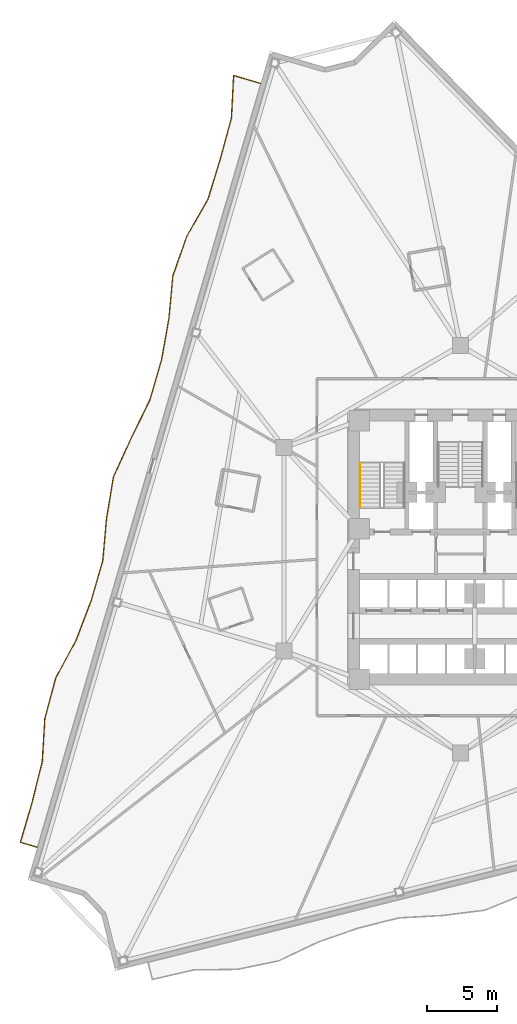
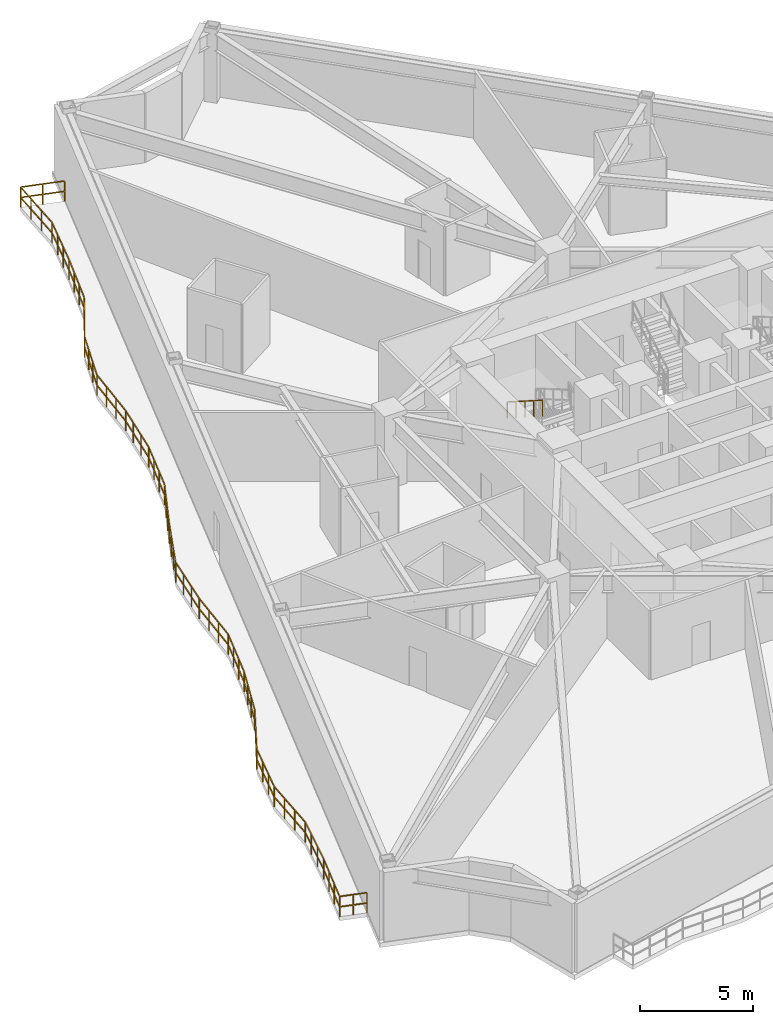
# One storey, part 8 of 9: 2 railings.
"""IFC4 building model written with IfcOpenShell, lengths in metres."""

import ifcopenshell
import ifcopenshell.guid

model = None  # the IFC model being written
_history = None  # IfcOwnerHistory: only IFC2X3 demands one
_inside = {}  # id of a spatial element -> (the spatial element, [elements in it])
_under = {}  # id of a project, library or spatial element -> (it, [spatial elements below it])
_declared = {}  # id of a project -> (the project, [libraries it declares])
_typed = {}  # id of a type object -> (the type object, [elements of that type])
_made_of = {}  # id of a material, layer set ... -> (it, [elements and type objects made of it])


def new_model(schema):
    """Start an empty IFC model of exactly this schema.

    Asked for "IFC4X3", IfcOpenShell would pick the latest addendum, in which some entities
    have other attributes; the version numbers below select the first issue.
    IFC2X3 requires an IfcOwnerHistory on every rooted entity: one is made here for all.
    """
    global model, _history
    if schema == "IFC4X3":
        model = ifcopenshell.file(schema_version=(4, 3, 0, 0))
    else:
        model = ifcopenshell.file(schema=schema)
    _inside.clear()
    _under.clear()
    _declared.clear()
    _typed.clear()
    _made_of.clear()
    _history = None
    if model.schema == "IFC2X3":
        org = make("IfcOrganization", Name="unknown")
        user = make(
            "IfcPersonAndOrganization",
            ThePerson=make("IfcPerson", FamilyName="unknown"),
            TheOrganization=org,
        )
        app = make(
            "IfcApplication",
            ApplicationDeveloper=org,
            Version="unknown",
            ApplicationFullName="unknown",
            ApplicationIdentifier="unknown",
        )
        _history = make(
            "IfcOwnerHistory",
            OwningUser=user,
            OwningApplication=app,
            ChangeAction="ADDED",
            CreationDate=0,
        )
    return model


def make(cls, **values):
    """One entity of the class cls with the attributes given. An attribute that is None is left unset."""
    return model.create_entity(
        cls, **{name: value for name, value in values.items() if value is not None}
    )


def rooted(cls, **values):
    """An entity with a GlobalId (a new one), such as an element, a storey or a relation."""
    return make(cls, GlobalId=ifcopenshell.guid.new(), OwnerHistory=_history, **values)


def si_unit(unit_type, name, prefix=None):
    """IfcSIUnit, for example si_unit("LENGTHUNIT", "METRE", prefix="MILLI")."""
    return make("IfcSIUnit", UnitType=unit_type, Prefix=prefix, Name=name)


def assignment(units):
    """IfcUnitAssignment: the units of a project."""
    return None if units is None else make("IfcUnitAssignment", Units=units)


def point(xyz):
    """IfcCartesianPoint."""
    return None if xyz is None else make("IfcCartesianPoint", Coordinates=xyz)


def direction(xyz):
    """IfcDirection."""
    return None if xyz is None else make("IfcDirection", DirectionRatios=xyz)


def frame(location, z_axis=None, x_axis=None):
    """IfcAxis2Placement3D, a coordinate frame: its origin and axes. An axis left out is left unset."""
    return make(
        "IfcAxis2Placement3D",
        Location=point(location),
        Axis=direction(z_axis),
        RefDirection=direction(x_axis),
    )


def frame_2d(location, x_axis=None):
    """IfcAxis2Placement2D, a coordinate frame in the plane: its origin and x axis."""
    return make(
        "IfcAxis2Placement2D", Location=point(location), RefDirection=direction(x_axis)
    )


def origin():
    """The frame at (0, 0, 0) with its axes left unset."""
    return frame((0.0, 0.0, 0.0))


def origin_2d():
    """The frame at (0, 0) in the plane with its x axis left unset."""
    return frame_2d((0.0, 0.0))


def place(relative_to, where):
    """IfcLocalPlacement: puts the frame where relative to a parent placement (None: the world)."""
    return make(
        "IfcLocalPlacement", PlacementRelTo=relative_to, RelativePlacement=where
    )


def context(
    kind, dimensions, precision=None, world=None, true_north=None, identifier=None
):
    """IfcGeometricRepresentationContext, for example the 3D "Model" context."""
    return make(
        "IfcGeometricRepresentationContext",
        ContextIdentifier=identifier,
        ContextType=kind,
        CoordinateSpaceDimension=dimensions,
        Precision=precision,
        WorldCoordinateSystem=world,
        TrueNorth=true_north,
    )


def subcontext(parent, identifier, kind, view, scale=None):
    """IfcGeometricRepresentationSubContext, for example "Body" below "Model"."""
    return make(
        "IfcGeometricRepresentationSubContext",
        ContextIdentifier=identifier,
        ContextType=kind,
        ParentContext=parent,
        TargetScale=scale,
        TargetView=view,
    )


def project(units=None, contexts=None):
    """IfcProject with its units and contexts."""
    return rooted(
        "IfcProject",
        Name="project",
        RepresentationContexts=contexts,
        UnitsInContext=assignment(units),
    )


def spatial(cls, under=None, at=None, **own):
    """A site, building, storey or space (cls), placed at a placement, below another one or the project."""
    s = rooted(cls, ObjectPlacement=at, **own)
    if under is not None:
        _under.setdefault(under.id(), (under, []))[1].append(s)
    return s


def profile(cls, at=None, kind="AREA", **sizes):
    """A parametric profile (cls). Its sizes go by their IFC names, for example OverallWidth=200.0."""
    return make(cls, ProfileType=kind, Position=at, **sizes)


def rectangle(**sizes):
    """IfcRectangleProfileDef."""
    return profile("IfcRectangleProfileDef", **sizes)


def extrude(swept, where, along, depth):
    """IfcExtrudedAreaSolid: the profile swept, set in the frame where, extruded along a direction by depth."""
    return make(
        "IfcExtrudedAreaSolid",
        SweptArea=swept,
        Position=where,
        ExtrudedDirection=direction(along),
        Depth=depth,
    )


def shape(context_of_items, identifier, shape_type, items):
    """IfcShapeRepresentation: the items that make up one representation, for example the "Body"."""
    return make(
        "IfcShapeRepresentation",
        ContextOfItems=context_of_items,
        RepresentationIdentifier=identifier,
        RepresentationType=shape_type,
        Items=items,
    )


def material(Name=None, Category=None):
    """IfcMaterial."""
    return make("IfcMaterial", Name=Name, Category=Category)


def made_of(thing, what):
    """Note that an element or type object is made of a material, layer set ...; save() writes the relation."""
    if what is not None:
        _made_of.setdefault(what.id(), (what, []))[1].append(thing)
    return thing


def type_object(cls, material=None, **own):
    """A type object (cls), such as IfcWallType, which elements share."""
    return made_of(rooted(cls, **own), material)


def element(
    cls,
    number,
    at=None,
    inside=None,
    cuts=None,
    type_object=None,
    material=None,
    context=None,
    identifier="Body",
    shape_type=None,
    held_by="IfcProductDefinitionShape",
    body=None,
    shapes=None,
    **own,
):
    """One element of the class cls, such as IfcWall. Its Tag is "e" and its number.

    at: its placement. inside: the storey or other place that contains it. cuts: it is an
    opening in that element (IfcRelVoidsElement). A single representation is given by context,
    identifier, shape_type and body (its items); several are given by shapes. held_by: the class
    of the entity that holds the representations. save() writes the other relations.
    """
    e = rooted(cls, Tag="e%d" % number, ObjectPlacement=at, **own)
    if body is not None:
        shapes = [shape(context, identifier, shape_type, body)]
    if shapes is not None:
        e.Representation = make(held_by, Representations=shapes)
    if inside is not None:
        _inside.setdefault(inside.id(), (inside, []))[1].append(e)
    if cuts is not None:
        rooted(
            "IfcRelVoidsElement", RelatingBuildingElement=cuts, RelatedOpeningElement=e
        )
    if type_object is not None:
        _typed.setdefault(type_object.id(), (type_object, []))[1].append(e)
    return made_of(e, material)


def aggregate(whole, parts):
    """IfcRelAggregates: a whole, such as a stair, and the parts it consists of."""
    return rooted("IfcRelAggregates", RelatingObject=whole, RelatedObjects=parts)


def save(model, path):
    """Write the relations noted so far, then the file.

    IfcRelAggregates (storeys below a building ...), IfcRelContainedInSpatialStructure (elements
    in a storey), IfcRelDefinesByType, IfcRelAssociatesMaterial and IfcRelDeclares: one each for
    every whole, place, type object, material and project.
    """
    for whole, parts in _under.values():
        aggregate(whole, parts)
    for where, things in _inside.values():
        rooted(
            "IfcRelContainedInSpatialStructure",
            RelatedElements=things,
            RelatingStructure=where,
        )
    for kind, things in _typed.values():
        rooted("IfcRelDefinesByType", RelatedObjects=things, RelatingType=kind)
    for what, things in _made_of.values():
        rooted("IfcRelAssociatesMaterial", RelatedObjects=things, RelatingMaterial=what)
    for by, libraries in _declared.values():
        rooted("IfcRelDeclares", RelatingContext=by, RelatedDefinitions=libraries)
    model.write(path)


model = new_model("IFC4")

# Units and contexts
model_context = context("Model", 3, precision=1e-05, world=origin(), true_north=direction((0.0, 1.0)))
body_context = subcontext(model_context, "Body", "Model", "MODEL_VIEW")
ifc_project = project(units=[si_unit("LENGTHUNIT", "METRE"), si_unit("AREAUNIT", "SQUARE_METRE"), si_unit("VOLUMEUNIT", "CUBIC_METRE"), si_unit("PLANEANGLEUNIT", "RADIAN"), si_unit("MASSUNIT", "GRAM", prefix="KILO")], contexts=[model_context])

# Site, building, storey
site_placement = place(None, origin())
site = spatial("IfcSite", under=ifc_project, at=site_placement, CompositionType="ELEMENT")
building_placement = place(site_placement, origin())
building = spatial("IfcBuilding", under=site, at=building_placement, Name="Apsidion Concourse Tower", CompositionType="ELEMENT")
storey_placement = place(building_placement, frame((0.0, 0.0, 119.0)))
storey = spatial("IfcBuildingStorey", under=building, at=storey_placement, Name="L27", CompositionType="ELEMENT", Elevation=119.0)

# Railings
ifc_material = material(Name="Brushed stainless steel 316", Category="steel")
railing_type_1 = type_object("IfcRailingType", Name="RL-BAL-1120", PredefinedType="BALUSTRADE", material=ifc_material)
railing_1_placement = place(storey_placement, frame((-30.13330078125, -21.2216796875, 0.0)))
element("IfcRailing", 1, at=railing_1_placement, inside=storey, type_object=railing_type_1, Name="L27 Face 1 Rippling Balcony Balustrade", PredefinedType="BALUSTRADE", context=body_context, shape_type="SweptSolid", body=[
    extrude(rectangle(XDim=0.048095703125, YDim=0.048095703125, at=origin_2d()), frame((0.0, 0.0, 1.09619140625), z_axis=(-0.959802880035, 0.280674956982, 0.0), x_axis=(-0.280674956982, -0.959802880035, 0.0)), (0.0, 0.0, 1.0), 1.25),
    extrude(rectangle(XDim=0.048095703125, YDim=0.048095703125, at=origin_2d()), frame((0.0, 0.0, 0.5361328125), z_axis=(-0.959802880035, 0.280674956982, 0.0), x_axis=(-0.280674956982, -0.959802880035, 0.0)), (0.0, 0.0, 1.0), 1.25),
    extrude(rectangle(XDim=0.048095703125, YDim=0.048095703125, at=origin_2d()), frame((-1.19970703125, 0.350830078125, 1.09619140625), z_axis=(0.280725911516, 0.959787977943, 0.0), x_axis=(-0.959787977943, 0.280725911516, 0.0)), (0.0, 0.0, 1.0), 2.98291015625),
    extrude(rectangle(XDim=0.048095703125, YDim=0.048095703125, at=origin_2d()), frame((-1.19970703125, 0.350830078125, 0.5361328125), z_axis=(0.280725911516, 0.959787977943, 0.0), x_axis=(-0.959787977943, 0.280725911516, 0.0)), (0.0, 0.0, 1.0), 2.98291015625),
    extrude(rectangle(XDim=0.048095703125, YDim=0.048095703125, at=origin_2d()), frame((-0.3623046875, 3.2138671875, 1.09619140625), z_axis=(0.241669587825, 0.970358598829, 0.0), x_axis=(-0.970358598829, 0.241669587825, 0.0)), (0.0, 0.0, 1.0), 2.985107421875),
    extrude(rectangle(XDim=0.048095703125, YDim=0.048095703125, at=origin_2d()), frame((-0.3623046875, 3.2138671875, 0.5361328125), z_axis=(0.241669587825, 0.970358598829, 0.0), x_axis=(-0.970358598829, 0.241669587825, 0.0)), (0.0, 0.0, 1.0), 2.985107421875),
    extrude(rectangle(XDim=0.048095703125, YDim=0.048095703125, at=origin_2d()), frame((0.359130859375, 6.110595703125, 1.09619140625), z_axis=(0.058787484893, 0.99827052026, 0.0), x_axis=(-0.99827052026, 0.058787484893, 0.0)), (0.0, 0.0, 1.0), 3.060791015625),
    extrude(rectangle(XDim=0.048095703125, YDim=0.048095703125, at=origin_2d()), frame((0.359130859375, 6.110595703125, 0.5361328125), z_axis=(0.058787484893, 0.99827052026, 0.0), x_axis=(-0.99827052026, 0.058787484893, 0.0)), (0.0, 0.0, 1.0), 3.060791015625),
    extrude(rectangle(XDim=0.048095703125, YDim=0.048095703125, at=origin_2d()), frame((0.5390625, 9.166015625, 1.09619140625), z_axis=(0.259383611504, 0.965774374315, 0.0), x_axis=(-0.965774374315, 0.259383611504, 0.0)), (0.0, 0.0, 1.0), 2.983642578125),
    extrude(rectangle(XDim=0.048095703125, YDim=0.048095703125, at=origin_2d()), frame((0.5390625, 9.166015625, 0.5361328125), z_axis=(0.259383611504, 0.965774374315, 0.0), x_axis=(-0.965774374315, 0.259383611504, 0.0)), (0.0, 0.0, 1.0), 2.983642578125),
    extrude(rectangle(XDim=0.048095703125, YDim=0.048095703125, at=origin_2d()), frame((1.31298828125, 12.047607421875, 1.09619140625), z_axis=(0.473975683234, 0.880537933143, 0.0), x_axis=(-0.880537933143, 0.473975683234, 0.0)), (0.0, 0.0, 1.0), 3.04931640625),
    extrude(rectangle(XDim=0.048095703125, YDim=0.048095703125, at=origin_2d()), frame((1.31298828125, 12.047607421875, 0.5361328125), z_axis=(0.473975683234, 0.880537933143, 0.0), x_axis=(-0.880537933143, 0.473975683234, 0.0)), (0.0, 0.0, 1.0), 3.04931640625),
    extrude(rectangle(XDim=0.048095703125, YDim=0.048095703125, at=origin_2d()), frame((2.75830078125, 14.732666015625, 1.09619140625), z_axis=(0.356588936578, 0.934261382221, 0.0), x_axis=(-0.934261382221, 0.356588936578, 0.0)), (0.0, 0.0, 1.0), 2.99267578125),
    extrude(rectangle(XDim=0.048095703125, YDim=0.048095703125, at=origin_2d()), frame((2.75830078125, 14.732666015625, 0.5361328125), z_axis=(0.356588936578, 0.934261382221, 0.0), x_axis=(-0.934261382221, 0.356588936578, 0.0)), (0.0, 0.0, 1.0), 2.99267578125),
    extrude(rectangle(XDim=0.048095703125, YDim=0.048095703125, at=origin_2d()), frame((3.825439453125, 17.528564453125, 1.09619140625), z_axis=(0.280725911516, 0.959787977943, 0.0), x_axis=(-0.959787977943, 0.280725911516, 0.0)), (0.0, 0.0, 1.0), 2.98291015625),
    extrude(rectangle(XDim=0.048095703125, YDim=0.048095703125, at=origin_2d()), frame((3.825439453125, 17.528564453125, 0.5361328125), z_axis=(0.280725911516, 0.959787977943, 0.0), x_axis=(-0.959787977943, 0.280725911516, 0.0)), (0.0, 0.0, 1.0), 2.98291015625),
    extrude(rectangle(XDim=0.048095703125, YDim=0.048095703125, at=origin_2d()), frame((4.662841796875, 20.3916015625, 1.09619140625), z_axis=(0.088472526508, 0.996078617406, 0.0), x_axis=(-0.996078617406, 0.088472526508, 0.0)), (0.0, 0.0, 1.0), 3.041015625),
    extrude(rectangle(XDim=0.048095703125, YDim=0.048095703125, at=origin_2d()), frame((4.662841796875, 20.3916015625, 0.5361328125), z_axis=(0.088472526508, 0.996078617406, 0.0), x_axis=(-0.996078617406, 0.088472526508, 0.0)), (0.0, 0.0, 1.0), 3.041015625),
    extrude(rectangle(XDim=0.048095703125, YDim=0.048095703125, at=origin_2d()), frame((4.931884765625, 23.420654296875, 1.09619140625), z_axis=(0.164965610792, 0.986299319302, 0.0), x_axis=(-0.986299319302, 0.164965610792, 0.0)), (0.0, 0.0, 1.0), 3.00439453125),
    extrude(rectangle(XDim=0.048095703125, YDim=0.048095703125, at=origin_2d()), frame((4.931884765625, 23.420654296875, 0.5361328125), z_axis=(0.164965610792, 0.986299319302, 0.0), x_axis=(-0.986299319302, 0.164965610792, 0.0)), (0.0, 0.0, 1.0), 3.00439453125),
    extrude(rectangle(XDim=0.048095703125, YDim=0.048095703125, at=origin_2d()), frame((5.427490234375, 26.3837890625, 1.09619140625), z_axis=(0.416833173006, 0.908983006377, 0.0), x_axis=(-0.908983006377, 0.416833173006, 0.0)), (0.0, 0.0, 1.0), 3.0146484375),
    extrude(rectangle(XDim=0.048095703125, YDim=0.048095703125, at=origin_2d()), frame((5.427490234375, 26.3837890625, 0.5361328125), z_axis=(0.416833173006, 0.908983006377, 0.0), x_axis=(-0.908983006377, 0.416833173006, 0.0)), (0.0, 0.0, 1.0), 3.0146484375),
    extrude(rectangle(XDim=0.048095703125, YDim=0.048095703125, at=origin_2d()), frame((6.68408203125, 29.1240234375, 1.09619140625), z_axis=(0.439064001801, 0.898455787628, 0.0), x_axis=(-0.898455787628, 0.439064001801, 0.0)), (0.0, 0.0, 1.0), 3.026611328125),
    extrude(rectangle(XDim=0.048095703125, YDim=0.048095703125, at=origin_2d()), frame((6.68408203125, 29.1240234375, 0.5361328125), z_axis=(0.439064001801, 0.898455787628, 0.0), x_axis=(-0.898455787628, 0.439064001801, 0.0)), (0.0, 0.0, 1.0), 3.026611328125),
    extrude(rectangle(XDim=0.048095703125, YDim=0.048095703125, at=origin_2d()), frame((8.012939453125, 31.84326171875, 1.09619140625), z_axis=(0.2808013033, 0.95976592358, 0.0), x_axis=(-0.95976592358, 0.2808013033, 0.0)), (0.0, 0.0, 1.0), 2.983154296875),
    extrude(rectangle(XDim=0.048095703125, YDim=0.048095703125, at=origin_2d()), frame((8.012939453125, 31.84326171875, 0.5361328125), z_axis=(0.2808013033, 0.95976592358, 0.0), x_axis=(-0.95976592358, 0.2808013033, 0.0)), (0.0, 0.0, 1.0), 2.983154296875),
    extrude(rectangle(XDim=0.048095703125, YDim=0.048095703125, at=origin_2d()), frame((8.8505859375, 34.706298828125, 1.09619140625), z_axis=(0.174759923103, 0.984611075134, 0.0), x_axis=(-0.984611075134, 0.174759923103, 0.0)), (0.0, 0.0, 1.0), 3.000732421875),
    extrude(rectangle(XDim=0.048095703125, YDim=0.048095703125, at=origin_2d()), frame((8.8505859375, 34.706298828125, 0.5361328125), z_axis=(0.174759923103, 0.984611075134, 0.0), x_axis=(-0.984611075134, 0.174759923103, 0.0)), (0.0, 0.0, 1.0), 3.000732421875),
    extrude(rectangle(XDim=0.048095703125, YDim=0.048095703125, at=origin_2d()), frame((9.375, 37.660888671875, 1.09619140625), z_axis=(0.091658355548, 0.995790513039, 0.0), x_axis=(-0.995790513039, 0.091658355548, 0.0)), (0.0, 0.0, 1.0), 3.0390625),
    extrude(rectangle(XDim=0.048095703125, YDim=0.048095703125, at=origin_2d()), frame((9.375, 37.660888671875, 0.5361328125), z_axis=(0.091658355548, 0.995790513039, 0.0), x_axis=(-0.995790513039, 0.091658355548, 0.0)), (0.0, 0.0, 1.0), 3.0390625),
    extrude(rectangle(XDim=0.048095703125, YDim=0.048095703125, at=origin_2d()), frame((9.653564453125, 40.687255859375, 1.09619140625), z_axis=(0.33221728707, 0.943202880706, 0.0), x_axis=(-0.943202880706, 0.33221728707, 0.0)), (0.0, 0.0, 1.0), 2.9873046875),
    extrude(rectangle(XDim=0.048095703125, YDim=0.048095703125, at=origin_2d()), frame((9.653564453125, 40.687255859375, 0.5361328125), z_axis=(0.33221728707, 0.943202880706, 0.0), x_axis=(-0.943202880706, 0.33221728707, 0.0)), (0.0, 0.0, 1.0), 2.9873046875),
    extrude(rectangle(XDim=0.048095703125, YDim=0.048095703125, at=origin_2d()), frame((10.64599609375, 43.5048828125, 1.09619140625), z_axis=(0.494757603532, 0.869031020014, 0.0), x_axis=(-0.869031020014, 0.494757603532, 0.0)), (0.0, 0.0, 1.0), 3.06591796875),
    extrude(rectangle(XDim=0.048095703125, YDim=0.048095703125, at=origin_2d()), frame((10.64599609375, 43.5048828125, 0.5361328125), z_axis=(0.494757603532, 0.869031020014, 0.0), x_axis=(-0.869031020014, 0.494757603532, 0.0)), (0.0, 0.0, 1.0), 3.06591796875),
    extrude(rectangle(XDim=0.048095703125, YDim=0.048095703125, at=origin_2d()), frame((12.162841796875, 46.169189453125, 1.09619140625), z_axis=(0.293401402428, 0.955989339404, 0.0), x_axis=(-0.955989339404, 0.293401402428, 0.0)), (0.0, 0.0, 1.0), 2.983154296875),
    extrude(rectangle(XDim=0.048095703125, YDim=0.048095703125, at=origin_2d()), frame((12.162841796875, 46.169189453125, 0.5361328125), z_axis=(0.293401402428, 0.955989339404, 0.0), x_axis=(-0.955989339404, 0.293401402428, 0.0)), (0.0, 0.0, 1.0), 2.983154296875),
    extrude(rectangle(XDim=0.048095703125, YDim=0.048095703125, at=origin_2d()), frame((13.0380859375, 49.02099609375, 1.09619140625), z_axis=(0.2629304432, 0.964814791573, 0.0), x_axis=(-0.964814791573, 0.2629304432, 0.0)), (0.0, 0.0, 1.0), 2.9833984375),
    extrude(rectangle(XDim=0.048095703125, YDim=0.048095703125, at=origin_2d()), frame((13.0380859375, 49.02099609375, 0.5361328125), z_axis=(0.2629304432, 0.964814791573, 0.0), x_axis=(-0.964814791573, 0.2629304432, 0.0)), (0.0, 0.0, 1.0), 2.9833984375),
    extrude(rectangle(XDim=0.048095703125, YDim=0.048095703125, at=origin_2d()), frame((13.822509765625, 51.8994140625, 1.09619140625), z_axis=(0.052730240175, 0.998608793157, 0.0), x_axis=(-0.998608793157, 0.052730240175, 0.0)), (0.0, 0.0, 1.0), 3.06494140625),
    extrude(rectangle(XDim=0.048095703125, YDim=0.048095703125, at=origin_2d()), frame((13.822509765625, 51.8994140625, 0.5361328125), z_axis=(0.052730240175, 0.998608793157, 0.0), x_axis=(-0.998608793157, 0.052730240175, 0.0)), (0.0, 0.0, 1.0), 3.06494140625),
    extrude(rectangle(XDim=0.048095703125, YDim=0.048095703125, at=origin_2d()), frame((13.984130859375, 54.960205078125, 1.09619140625), z_axis=(0.959776540995, -0.280765010916, 0.0), x_axis=(0.280765010916, 0.959776540995, 0.0)), (0.0, 0.0, 1.0), 2.009521484375),
    extrude(rectangle(XDim=0.048095703125, YDim=0.048095703125, at=origin_2d()), frame((13.984130859375, 54.960205078125, 0.5361328125), z_axis=(0.959776540995, -0.280765010916, 0.0), x_axis=(0.280765010916, 0.959776540995, 0.0)), (0.0, 0.0, 1.0), 2.009521484375),
    extrude(rectangle(XDim=0.0419921875, YDim=0.0419921875, at=origin_2d()), origin(), (0.0, 0.0, 1.0), 1.072021484375),
    extrude(rectangle(XDim=0.0419921875, YDim=0.0419921875, at=origin_2d()), frame((-0.599853515625, 0.17529296875, 0.0)), (0.0, 0.0, 1.0), 1.072021484375),
    extrude(rectangle(XDim=0.0419921875, YDim=0.0419921875, at=origin_2d()), frame((-1.19970703125, 0.350830078125, 0.0)), (0.0, 0.0, 1.0), 1.072021484375),
    extrude(rectangle(XDim=0.0419921875, YDim=0.0419921875, at=origin_2d()), frame((-0.920654296875, 1.30517578125, 0.0)), (0.0, 0.0, 1.0), 1.072021484375),
    extrude(rectangle(XDim=0.0419921875, YDim=0.0419921875, at=origin_2d()), frame((-0.641357421875, 2.259521484375, 0.0)), (0.0, 0.0, 1.0), 1.072021484375),
    extrude(rectangle(XDim=0.0419921875, YDim=0.0419921875, at=origin_2d()), frame((-0.3623046875, 3.2138671875, 0.0)), (0.0, 0.0, 1.0), 1.072021484375),
    extrude(rectangle(XDim=0.0419921875, YDim=0.0419921875, at=origin_2d()), frame((-0.121826171875, 4.179443359375, 0.0)), (0.0, 0.0, 1.0), 1.072021484375),
    extrude(rectangle(XDim=0.0419921875, YDim=0.0419921875, at=origin_2d()), frame((0.11865234375, 5.14501953125, 0.0)), (0.0, 0.0, 1.0), 1.072021484375),
    extrude(rectangle(XDim=0.0419921875, YDim=0.0419921875, at=origin_2d()), frame((0.359130859375, 6.110595703125, 0.0)), (0.0, 0.0, 1.0), 1.072021484375),
    extrude(rectangle(XDim=0.0419921875, YDim=0.0419921875, at=origin_2d()), frame((0.419189453125, 7.129150390625, 0.0)), (0.0, 0.0, 1.0), 1.072021484375),
    extrude(rectangle(XDim=0.0419921875, YDim=0.0419921875, at=origin_2d()), frame((0.47900390625, 8.1474609375, 0.0)), (0.0, 0.0, 1.0), 1.072021484375),
    extrude(rectangle(XDim=0.0419921875, YDim=0.0419921875, at=origin_2d()), frame((0.5390625, 9.166015625, 0.0)), (0.0, 0.0, 1.0), 1.072021484375),
    extrude(rectangle(XDim=0.0419921875, YDim=0.0419921875, at=origin_2d()), frame((0.797119140625, 10.12646484375, 0.0)), (0.0, 0.0, 1.0), 1.072021484375),
    extrude(rectangle(XDim=0.0419921875, YDim=0.0419921875, at=origin_2d()), frame((1.054931640625, 11.087158203125, 0.0)), (0.0, 0.0, 1.0), 1.072021484375),
    extrude(rectangle(XDim=0.0419921875, YDim=0.0419921875, at=origin_2d()), frame((1.31298828125, 12.047607421875, 0.0)), (0.0, 0.0, 1.0), 1.072021484375),
    extrude(rectangle(XDim=0.0419921875, YDim=0.0419921875, at=origin_2d()), frame((1.794677734375, 12.942626953125, 0.0)), (0.0, 0.0, 1.0), 1.072021484375),
    extrude(rectangle(XDim=0.0419921875, YDim=0.0419921875, at=origin_2d()), frame((2.276611328125, 13.837646484375, 0.0)), (0.0, 0.0, 1.0), 1.072021484375),
    extrude(rectangle(XDim=0.0419921875, YDim=0.0419921875, at=origin_2d()), frame((2.75830078125, 14.732666015625, 0.0)), (0.0, 0.0, 1.0), 1.072021484375),
    extrude(rectangle(XDim=0.0419921875, YDim=0.0419921875, at=origin_2d()), frame((3.114013671875, 15.66455078125, 0.0)), (0.0, 0.0, 1.0), 1.072021484375),
    extrude(rectangle(XDim=0.0419921875, YDim=0.0419921875, at=origin_2d()), frame((3.4697265625, 16.5966796875, 0.0)), (0.0, 0.0, 1.0), 1.072021484375),
    extrude(rectangle(XDim=0.0419921875, YDim=0.0419921875, at=origin_2d()), frame((3.825439453125, 17.528564453125, 0.0)), (0.0, 0.0, 1.0), 1.072021484375),
    extrude(rectangle(XDim=0.0419921875, YDim=0.0419921875, at=origin_2d()), frame((4.1044921875, 18.48291015625, 0.0)), (0.0, 0.0, 1.0), 1.072021484375),
    extrude(rectangle(XDim=0.0419921875, YDim=0.0419921875, at=origin_2d()), frame((4.3837890625, 19.437255859375, 0.0)), (0.0, 0.0, 1.0), 1.072021484375),
    extrude(rectangle(XDim=0.0419921875, YDim=0.0419921875, at=origin_2d()), frame((4.662841796875, 20.3916015625, 0.0)), (0.0, 0.0, 1.0), 1.072021484375),
    extrude(rectangle(XDim=0.0419921875, YDim=0.0419921875, at=origin_2d()), frame((4.75244140625, 21.4013671875, 0.0)), (0.0, 0.0, 1.0), 1.072021484375),
    extrude(rectangle(XDim=0.0419921875, YDim=0.0419921875, at=origin_2d()), frame((4.84228515625, 22.410888671875, 0.0)), (0.0, 0.0, 1.0), 1.072021484375),
    extrude(rectangle(XDim=0.0419921875, YDim=0.0419921875, at=origin_2d()), frame((4.931884765625, 23.420654296875, 0.0)), (0.0, 0.0, 1.0), 1.072021484375),
    extrude(rectangle(XDim=0.0419921875, YDim=0.0419921875, at=origin_2d()), frame((5.09716796875, 24.408447265625, 0.0)), (0.0, 0.0, 1.0), 1.072021484375),
    extrude(rectangle(XDim=0.0419921875, YDim=0.0419921875, at=origin_2d()), frame((5.26220703125, 25.39599609375, 0.0)), (0.0, 0.0, 1.0), 1.072021484375),
    extrude(rectangle(XDim=0.0419921875, YDim=0.0419921875, at=origin_2d()), frame((5.427490234375, 26.3837890625, 0.0)), (0.0, 0.0, 1.0), 1.072021484375),
    extrude(rectangle(XDim=0.0419921875, YDim=0.0419921875, at=origin_2d()), frame((5.846435546875, 27.297119140625, 0.0)), (0.0, 0.0, 1.0), 1.072021484375),
    extrude(rectangle(XDim=0.0419921875, YDim=0.0419921875, at=origin_2d()), frame((6.26513671875, 28.210693359375, 0.0)), (0.0, 0.0, 1.0), 1.072021484375),
    extrude(rectangle(XDim=0.0419921875, YDim=0.0419921875, at=origin_2d()), frame((6.68408203125, 29.1240234375, 0.0)), (0.0, 0.0, 1.0), 1.072021484375),
    extrude(rectangle(XDim=0.0419921875, YDim=0.0419921875, at=origin_2d()), frame((7.126953125, 30.030517578125, 0.0)), (0.0, 0.0, 1.0), 1.072021484375),
    extrude(rectangle(XDim=0.0419921875, YDim=0.0419921875, at=origin_2d()), frame((7.570068359375, 30.936767578125, 0.0)), (0.0, 0.0, 1.0), 1.072021484375),
    extrude(rectangle(XDim=0.0419921875, YDim=0.0419921875, at=origin_2d()), frame((8.012939453125, 31.84326171875, 0.0)), (0.0, 0.0, 1.0), 1.072021484375),
    extrude(rectangle(XDim=0.0419921875, YDim=0.0419921875, at=origin_2d()), frame((8.292236328125, 32.797607421875, 0.0)), (0.0, 0.0, 1.0), 1.072021484375),
    extrude(rectangle(XDim=0.0419921875, YDim=0.0419921875, at=origin_2d()), frame((8.5712890625, 33.751953125, 0.0)), (0.0, 0.0, 1.0), 1.072021484375),
    extrude(rectangle(XDim=0.0419921875, YDim=0.0419921875, at=origin_2d()), frame((8.8505859375, 34.706298828125, 0.0)), (0.0, 0.0, 1.0), 1.072021484375),
    extrude(rectangle(XDim=0.0419921875, YDim=0.0419921875, at=origin_2d()), frame((9.025390625, 35.691162109375, 0.0)), (0.0, 0.0, 1.0), 1.072021484375),
    extrude(rectangle(XDim=0.0419921875, YDim=0.0419921875, at=origin_2d()), frame((9.2001953125, 36.676025390625, 0.0)), (0.0, 0.0, 1.0), 1.072021484375),
    extrude(rectangle(XDim=0.0419921875, YDim=0.0419921875, at=origin_2d()), frame((9.375, 37.660888671875, 0.0)), (0.0, 0.0, 1.0), 1.072021484375),
    extrude(rectangle(XDim=0.0419921875, YDim=0.0419921875, at=origin_2d()), frame((9.4677734375, 38.669677734375, 0.0)), (0.0, 0.0, 1.0), 1.072021484375),
    extrude(rectangle(XDim=0.0419921875, YDim=0.0419921875, at=origin_2d()), frame((9.560791015625, 39.678466796875, 0.0)), (0.0, 0.0, 1.0), 1.072021484375),
    extrude(rectangle(XDim=0.0419921875, YDim=0.0419921875, at=origin_2d()), frame((9.653564453125, 40.687255859375, 0.0)), (0.0, 0.0, 1.0), 1.072021484375),
    extrude(rectangle(XDim=0.0419921875, YDim=0.0419921875, at=origin_2d()), frame((9.984375, 41.62646484375, 0.0)), (0.0, 0.0, 1.0), 1.072021484375),
    extrude(rectangle(XDim=0.0419921875, YDim=0.0419921875, at=origin_2d()), frame((10.315185546875, 42.565673828125, 0.0)), (0.0, 0.0, 1.0), 1.072021484375),
    extrude(rectangle(XDim=0.0419921875, YDim=0.0419921875, at=origin_2d()), frame((10.64599609375, 43.5048828125, 0.0)), (0.0, 0.0, 1.0), 1.072021484375),
    extrude(rectangle(XDim=0.0419921875, YDim=0.0419921875, at=origin_2d()), frame((11.151611328125, 44.39306640625, 0.0)), (0.0, 0.0, 1.0), 1.072021484375),
    extrude(rectangle(XDim=0.0419921875, YDim=0.0419921875, at=origin_2d()), frame((11.6572265625, 45.281005859375, 0.0)), (0.0, 0.0, 1.0), 1.072021484375),
    extrude(rectangle(XDim=0.0419921875, YDim=0.0419921875, at=origin_2d()), frame((12.162841796875, 46.169189453125, 0.0)), (0.0, 0.0, 1.0), 1.072021484375),
    extrude(rectangle(XDim=0.0419921875, YDim=0.0419921875, at=origin_2d()), frame((12.45458984375, 47.119873046875, 0.0)), (0.0, 0.0, 1.0), 1.072021484375),
    extrude(rectangle(XDim=0.0419921875, YDim=0.0419921875, at=origin_2d()), frame((12.746337890625, 48.0703125, 0.0)), (0.0, 0.0, 1.0), 1.072021484375),
    extrude(rectangle(XDim=0.0419921875, YDim=0.0419921875, at=origin_2d()), frame((13.0380859375, 49.02099609375, 0.0)), (0.0, 0.0, 1.0), 1.072021484375),
    extrude(rectangle(XDim=0.0419921875, YDim=0.0419921875, at=origin_2d()), frame((13.299560546875, 49.98046875, 0.0)), (0.0, 0.0, 1.0), 1.072021484375),
    extrude(rectangle(XDim=0.0419921875, YDim=0.0419921875, at=origin_2d()), frame((13.56103515625, 50.93994140625, 0.0)), (0.0, 0.0, 1.0), 1.072021484375),
    extrude(rectangle(XDim=0.0419921875, YDim=0.0419921875, at=origin_2d()), frame((13.822509765625, 51.8994140625, 0.0)), (0.0, 0.0, 1.0), 1.072021484375),
    extrude(rectangle(XDim=0.0419921875, YDim=0.0419921875, at=origin_2d()), frame((13.87646484375, 52.919677734375, 0.0)), (0.0, 0.0, 1.0), 1.072021484375),
    extrude(rectangle(XDim=0.0419921875, YDim=0.0419921875, at=origin_2d()), frame((13.93017578125, 53.93994140625, 0.0)), (0.0, 0.0, 1.0), 1.072021484375),
    extrude(rectangle(XDim=0.0419921875, YDim=0.0419921875, at=origin_2d()), frame((13.984130859375, 54.960205078125, 0.0)), (0.0, 0.0, 1.0), 1.072021484375),
    extrude(rectangle(XDim=0.0419921875, YDim=0.0419921875, at=origin_2d()), frame((14.948486328125, 54.67822265625, 0.0)), (0.0, 0.0, 1.0), 1.072021484375),
    extrude(rectangle(XDim=0.0419921875, YDim=0.0419921875, at=origin_2d()), frame((15.912841796875, 54.39599609375, 0.0)), (0.0, 0.0, 1.0), 1.072021484375),
])
railing_type_2 = type_object("IfcRailingType", Name="RL-HAND-900", PredefinedType="HANDRAIL", material=ifc_material)
railing_2_placement = place(storey_placement, frame((-7.14990234375, 6.135009765625, 2.166748046875)))
element("IfcRailing", 2, at=railing_2_placement, inside=storey, type_object=railing_type_2, Name="L27 ST1 stair handrail 2", PredefinedType="HANDRAIL", context=body_context, shape_type="SweptSolid", body=[
    extrude(rectangle(XDim=0.048095703125, YDim=0.048095703125, at=origin_2d()), frame((0.0, 0.0, 0.8759765625), z_axis=(0.0, -0.843052688722, 0.537830980921), x_axis=(1.0, 0.0, 0.0)), (0.0, 0.0, 1.0), 3.71875),
    extrude(rectangle(XDim=0.0419921875, YDim=0.0419921875, at=origin_2d()), origin(), (0.0, 0.0, 1.0), 0.851806640625),
    extrude(rectangle(XDim=0.0419921875, YDim=0.0419921875, at=origin_2d()), frame((0.0, -0.78369140625, 0.5)), (0.0, 0.0, 1.0), 0.851806640625),
    extrude(rectangle(XDim=0.0419921875, YDim=0.0419921875, at=origin_2d()), frame((0.0, -1.5673828125, 1.0)), (0.0, 0.0, 1.0), 0.851806640625),
    extrude(rectangle(XDim=0.0419921875, YDim=0.0419921875, at=origin_2d()), frame((0.0, -2.351318359375, 1.5)), (0.0, 0.0, 1.0), 0.851806640625),
    extrude(rectangle(XDim=0.0419921875, YDim=0.0419921875, at=origin_2d()), frame((0.0, -3.135009765625, 2.0)), (0.0, 0.0, 1.0), 0.851806640625),
])

save(model, "model.ifc")
